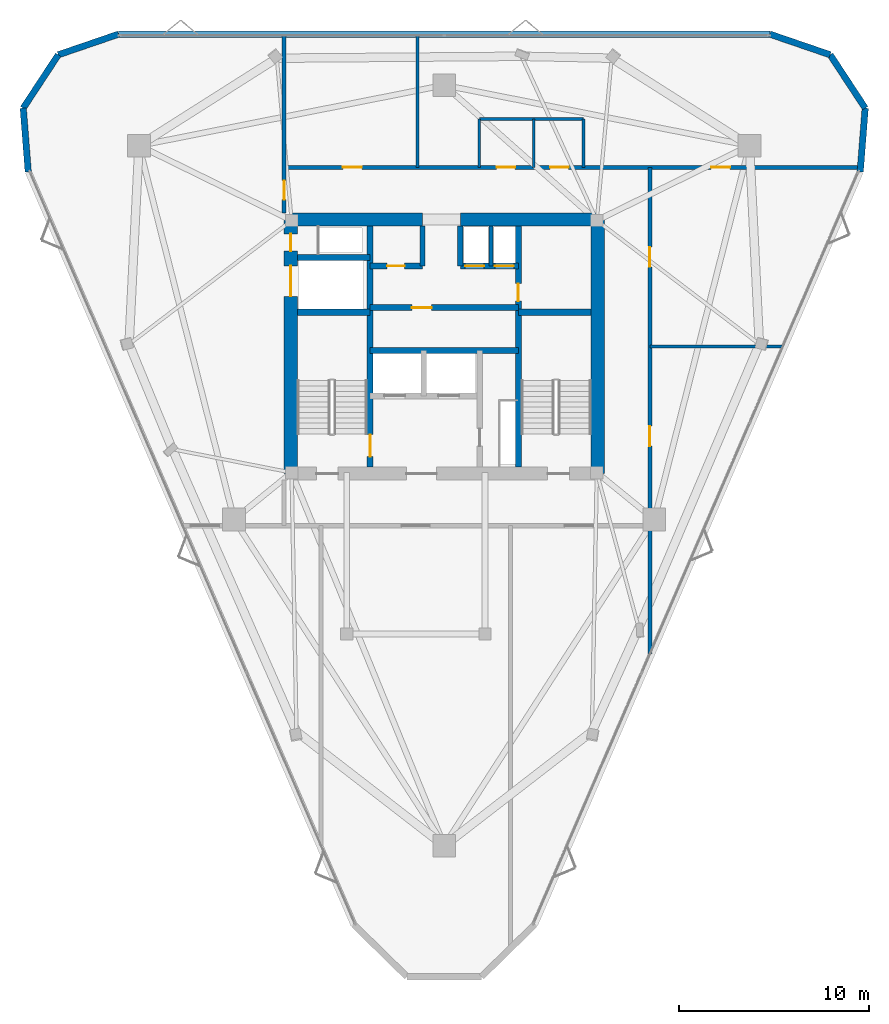
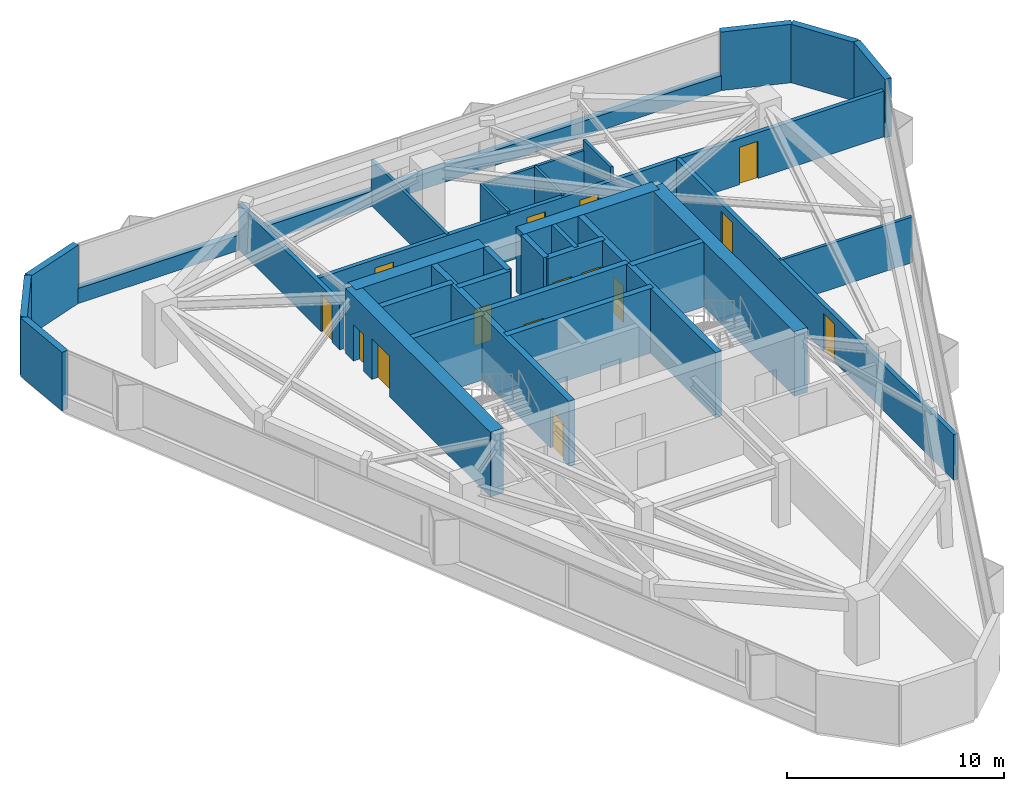
# One storey, part 9 of 11: 32 walls, 15 doors, 15 openings.
"""IFC4 building model written with IfcOpenShell, lengths in metres."""

from ifc_helpers import new_model, si_unit, direction, frame, frame_2d, origin, place, context, subcontext, project, spatial, rectangle, extrude, material, layer, layer_set, type_object, element, fill, save


model = new_model("IFC4")

# Units and contexts
model_context = context("Model", 3, precision=1e-05, world=origin(), true_north=direction((0.0, 1.0)))
body_context = subcontext(model_context, "Body", "Model", "MODEL_VIEW")
ifc_project = project(units=[si_unit("LENGTHUNIT", "METRE"), si_unit("AREAUNIT", "SQUARE_METRE"), si_unit("VOLUMEUNIT", "CUBIC_METRE"), si_unit("PLANEANGLEUNIT", "RADIAN"), si_unit("MASSUNIT", "GRAM", prefix="KILO")], contexts=[model_context])

# Site, building, storey
site_placement = place(None, origin())
site = spatial("IfcSite", under=ifc_project, at=site_placement, CompositionType="ELEMENT")
building_placement = place(site_placement, origin())
building = spatial("IfcBuilding", under=site, at=building_placement, Name="Talyreon Biosciences Tower", CompositionType="ELEMENT")
storey_placement = place(building_placement, frame((0.0, 0.0, 271.75)))
storey = spatial("IfcBuildingStorey", under=building, at=storey_placement, Name="L72", CompositionType="ELEMENT", Elevation=271.75)

# Walls
ifc_material_1 = material(Name="Concrete C50/60", Category="concrete")
ifc_layer_1 = layer(ifc_material_1, 0.219970703125)
ifc_layer_set_1 = layer_set([ifc_layer_1], Name="Concrete C50/60")
wall_type_1 = type_object("IfcWallType", Name="CoreShearWall_220", PredefinedType="SHEAR", material=ifc_layer_set_1)
wall_1_placement = place(storey_placement, frame((68.4599609375, 72.25, 0.0), z_axis=(0.0, 0.0, 1.0), x_axis=(0.0, 1.0, 0.0)))
element("IfcWall", 1, at=wall_1_placement, inside=storey, type_object=wall_type_1, Name="L72 Core Shaft Wall SWPHD", PredefinedType="SHEAR", context=body_context, shape_type="SweptSolid", body=[
    extrude(rectangle(XDim=2.10009765625, YDim=0.219970703125, at=frame_2d((1.050048828125, 0.0))), origin(), (0.0, 0.0, 1.0), 3.64990234375),
])
ifc_layer_2 = layer(ifc_material_1, 0.280029296875)
ifc_layer_set_2 = layer_set([ifc_layer_2], Name="Concrete C50/60")
wall_type_2 = type_object("IfcWallType", Name="CoreShearWall_280", PredefinedType="SHEAR", material=ifc_layer_set_2)
for number, where, z_axis, x_axis, name in (
    (2, (64.85009765625, 72.25, 0.0), (0.0, 0.0, 1.0), (0.0, 1.0, 0.0), "L72 Core Shaft Wall SWTHW"),
    (3, (66.85009765625, 72.25, 0.0), (0.0, 0.0, 1.0), (0.0, 1.0, 0.0), "L72 Core Shaft Wall SWTHE"),
):
    element("IfcWall", number, at=place(storey_placement, frame(where, z_axis=z_axis, x_axis=x_axis)), inside=storey, type_object=wall_type_2, Name=name, PredefinedType="SHEAR", context=body_context, shape_type="SweptSolid", body=[
        extrude(rectangle(XDim=2.10009765625, YDim=0.280029296875, at=frame_2d((1.050048828125, 0.0))), origin(), (0.0, 0.0, 1.0), 3.64990234375),
    ])

# Wall, opening, door
ifc_layer_3 = layer(ifc_material_1, 0.320068359375)
ifc_layer_set_3 = layer_set([ifc_layer_3], Name="Concrete C50/60")
wall_type_3 = type_object("IfcWallType", Name="CoreShearWall_320", PredefinedType="SHEAR", material=ifc_layer_set_3)
wall_2_placement = place(storey_placement, frame((62.090087890625, 61.64990234375, 0.0), z_axis=(0.0, 0.0, 1.0), x_axis=(0.0, 1.0, 0.0)))
wall_2 = element("IfcWall", 4, at=wall_2_placement, inside=storey, type_object=wall_type_3, Name="L72 Core Shaft Wall SW1E", PredefinedType="SHEAR", context=body_context, shape_type="SweptSolid", body=[
    extrude(rectangle(XDim=12.7001953125, YDim=0.320068359375, at=frame_2d((6.35009765625, 0.0))), origin(), (0.0, 0.0, 1.0), 3.64990234375),
])
opening_1_placement = place(wall_2_placement, frame((0.550048828125, 0.0, 0.0)))
opening_1 = element("IfcOpeningElement", 5, at=opening_1_placement, cuts=wall_2, Name="Opening DR-L72-FF-ST1", PredefinedType="OPENING", context=body_context, shape_type="SweptSolid", body=[
    extrude(rectangle(XDim=1.14990234375, YDim=2.14990234375, at=frame_2d((0.574951171875, 1.074951171875))), frame((0.0, 0.169921875, 0.0), z_axis=(0.0, -1.0, 0.0), x_axis=(1.0, 0.0, 0.0)), (0.0, 0.0, 1.0), 0.340087890625),
])
ifc_material_2 = material(Name="Painted steel fire door", Category="steel")
door_type_1 = type_object("IfcDoorType", Name="StairShaftFireDoor_1150x2150", OperationType="NOTDEFINED", PredefinedType="DOOR", material=ifc_material_2)
door_1_placement = place(opening_1_placement, origin())
door_1 = element("IfcDoor", 6, at=door_1_placement, inside=storey, type_object=door_type_1, Name="L72 Core Door DR-L72-FF-ST1", OperationType="SINGLE_SWING_LEFT", OverallHeight=2.14990234375, OverallWidth=1.14990234375, PredefinedType="DOOR", context=body_context, shape_type="SweptSolid", body=[
    extrude(rectangle(XDim=1.14990234375, YDim=2.14990234375, at=frame_2d((0.574951171875, 1.074951171875))), frame((0.0, 0.02490234375, 0.0), z_axis=(0.0, -1.0, 0.0), x_axis=(1.0, 0.0, 0.0)), (0.0, 0.0, 1.0), 0.050048828125),
])
fill(opening_1, door_1)

wall_3_placement = place(storey_placement, frame((69.909912109375, 61.64990234375, 0.0), z_axis=(0.0, 0.0, 1.0), x_axis=(0.0, 1.0, 0.0)))
wall_3 = element("IfcWall", 7, at=wall_3_placement, inside=storey, type_object=wall_type_3, Name="L72 Core Shaft Wall SW2W", PredefinedType="SHEAR", context=body_context, shape_type="SweptSolid", body=[
    extrude(rectangle(XDim=12.7001953125, YDim=0.320068359375, at=frame_2d((6.35009765625, 0.0))), origin(), (0.0, 0.0, 1.0), 3.64990234375),
])
opening_2_placement = place(wall_3_placement, frame((8.75, 0.0, 0.0)))
opening_2 = element("IfcOpeningElement", 8, at=opening_2_placement, cuts=wall_3, Name="Opening DR-L72-CSRV", PredefinedType="OPENING", context=body_context, shape_type="SweptSolid", body=[
    extrude(rectangle(XDim=0.919921875, YDim=2.050048828125, at=frame_2d((0.4599609375, 1.02490234375))), frame((0.0, 0.169921875, 0.0), z_axis=(0.0, -1.0, 0.0), x_axis=(1.0, 0.0, 0.0)), (0.0, 0.0, 1.0), 0.340087890625),
])
ifc_material_3 = material(Name="Painted steel fire-rated riser door", Category="steel")
door_type_2 = type_object("IfcDoorType", Name="RiserPlantAccessDoor_920x2050", OperationType="NOTDEFINED", PredefinedType="DOOR", material=ifc_material_3)
door_2_placement = place(opening_2_placement, origin())
door_2 = element("IfcDoor", 9, at=door_2_placement, inside=storey, type_object=door_type_2, Name="L72 Core Door DR-L72-CSRV", OperationType="SINGLE_SWING_RIGHT", OverallHeight=2.050048828125, OverallWidth=0.919921875, PredefinedType="DOOR", context=body_context, shape_type="SweptSolid", body=[
    extrude(rectangle(XDim=0.919921875, YDim=2.050048828125, at=frame_2d((0.4599609375, 1.02490234375))), frame((0.0, 0.02490234375, 0.0), z_axis=(0.0, -1.0, 0.0), x_axis=(1.0, 0.0, 0.0)), (0.0, 0.0, 1.0), 0.050048828125),
])
fill(opening_2, door_2)

# Walls
for number, where, z_axis, x_axis, name in (
    (10, (58.25, 69.81005859375, 0.0), (0.0, 0.0, 1.0), (1.0, 0.0, 0.0), "L72 Core Shaft Wall SW1N"),
    (11, (69.909912109375, 69.81005859375, 0.0), (0.0, 0.0, 1.0), (1.0, 0.0, 0.0), "L72 Core Shaft Wall SW2N"),
    (12, (58.25, 72.699951171875, 0.0), (0.0, 0.0, 1.0), (1.0, 0.0, 0.0), "L72 Core Shaft Wall SWGLN"),
):
    element("IfcWall", number, at=place(storey_placement, frame(where, z_axis=z_axis, x_axis=x_axis)), inside=storey, type_object=wall_type_3, Name=name, PredefinedType="SHEAR", context=body_context, shape_type="SweptSolid", body=[
        extrude(rectangle(XDim=3.840087890625, YDim=0.320068359375, at=frame_2d((1.919921875, 0.0))), origin(), (0.0, 0.0, 1.0), 3.64990234375),
    ])
wall_4_placement = place(storey_placement, frame((62.090087890625, 67.800048828125, 0.0), z_axis=(0.0, 0.0, 1.0), x_axis=(1.0, 0.0, 0.0)))
element("IfcWall", 13, at=wall_4_placement, inside=storey, type_object=wall_type_3, Name="L72 Core Shaft Wall SWSHM", PredefinedType="SHEAR", context=body_context, shape_type="SweptSolid", body=[
    extrude(rectangle(XDim=7.81982421875, YDim=0.320068359375, at=frame_2d((3.909912109375, 0.0))), origin(), (0.0, 0.0, 1.0), 3.64990234375),
])

# Wall, opening, door
wall_5_placement = place(storey_placement, frame((62.090087890625, 70.050048828125, 0.0), z_axis=(0.0, 0.0, 1.0), x_axis=(1.0, 0.0, 0.0)))
wall_5 = element("IfcWall", 14, at=wall_5_placement, inside=storey, type_object=wall_type_3, Name="L72 Core Shaft Wall SWSPN", PredefinedType="SHEAR", context=body_context, shape_type="SweptSolid", body=[
    extrude(rectangle(XDim=7.81982421875, YDim=0.320068359375, at=frame_2d((3.909912109375, 0.0))), origin(), (0.0, 0.0, 1.0), 3.64990234375),
])
opening_3_placement = place(wall_5_placement, frame((2.199951171875, 0.0, 0.0)))
opening_3 = element("IfcOpeningElement", 15, at=opening_3_placement, cuts=wall_5, Name="Opening DR-L72-PLPMFREE", PredefinedType="OPENING", context=body_context, shape_type="SweptSolid", body=[
    extrude(rectangle(XDim=1.050048828125, YDim=2.14990234375, at=frame_2d((0.52490234375, 1.074951171875))), frame((0.0, 0.169921875, 0.0), z_axis=(0.0, -1.0, 0.0), x_axis=(1.0, 0.0, 0.0)), (0.0, 0.0, 1.0), 0.340087890625),
])
ifc_material_4 = material(Name="Acoustic timber-core laboratory door", Category="wood")
door_type_3 = type_object("IfcDoorType", Name="DryLabSingleDoor_1050x2150", OperationType="NOTDEFINED", PredefinedType="DOOR", material=ifc_material_4)
door_3_placement = place(opening_3_placement, origin())
door_3 = element("IfcDoor", 16, at=door_3_placement, inside=storey, type_object=door_type_3, Name="L72 Core Door DR-L72-PLPMFREE", OperationType="SINGLE_SWING_LEFT", OverallHeight=2.14990234375, OverallWidth=1.050048828125, PredefinedType="DOOR", context=body_context, shape_type="SweptSolid", body=[
    extrude(rectangle(XDim=1.050048828125, YDim=2.14990234375, at=frame_2d((0.52490234375, 1.074951171875))), frame((0.0, 0.02490234375, 0.0), z_axis=(0.0, -1.0, 0.0), x_axis=(1.0, 0.0, 0.0)), (0.0, 0.0, 1.0), 0.050048828125),
])
fill(opening_3, door_3)

wall_6_placement = place(storey_placement, frame((62.090087890625, 72.25, 0.0), z_axis=(0.0, 0.0, 1.0), x_axis=(1.0, 0.0, 0.0)))
wall_6 = element("IfcWall", 17, at=wall_6_placement, inside=storey, type_object=wall_type_3, Name="L72 Core Shaft Wall SWNPW", PredefinedType="SHEAR", context=body_context, shape_type="SweptSolid", body=[
    extrude(rectangle(XDim=2.760009765625, YDim=0.320068359375, at=frame_2d((1.3798828125, 0.0))), origin(), (0.0, 0.0, 1.0), 3.64990234375),
])
opening_4_placement = place(wall_6_placement, frame((0.89990234375, 0.0, 0.0)))
opening_4 = element("IfcOpeningElement", 18, at=opening_4_placement, cuts=wall_6, Name="Opening DR-L72-PM2FREE", PredefinedType="OPENING", context=body_context, shape_type="SweptSolid", body=[
    extrude(rectangle(XDim=0.919921875, YDim=2.050048828125, at=frame_2d((0.4599609375, 1.02490234375))), frame((0.0, 0.169921875, 0.0), z_axis=(0.0, -1.0, 0.0), x_axis=(1.0, 0.0, 0.0)), (0.0, 0.0, 1.0), 0.340087890625),
])
door_4_placement = place(opening_4_placement, origin())
door_4 = element("IfcDoor", 19, at=door_4_placement, inside=storey, type_object=door_type_2, Name="L72 Core Door DR-L72-PM2FREE", OperationType="SINGLE_SWING_RIGHT", OverallHeight=2.050048828125, OverallWidth=0.919921875, PredefinedType="DOOR", context=body_context, shape_type="SweptSolid", body=[
    extrude(rectangle(XDim=0.919921875, YDim=2.050048828125, at=frame_2d((0.4599609375, 1.02490234375))), frame((0.0, 0.02490234375, 0.0), z_axis=(0.0, -1.0, 0.0), x_axis=(1.0, 0.0, 0.0)), (0.0, 0.0, 1.0), 0.050048828125),
])
fill(opening_4, door_4)

# Wall, openings, doors
wall_7_placement = place(storey_placement, frame((66.85009765625, 72.25, 0.0), z_axis=(0.0, 0.0, 1.0), x_axis=(1.0, 0.0, 0.0)))
wall_7 = element("IfcWall", 20, at=wall_7_placement, inside=storey, type_object=wall_type_3, Name="L72 Core Shaft Wall SWNPE", PredefinedType="SHEAR", context=body_context, shape_type="SweptSolid", body=[
    extrude(rectangle(XDim=3.059814453125, YDim=0.320068359375, at=frame_2d((1.52978515625, 0.0))), origin(), (0.0, 0.0, 1.0), 3.64990234375),
])
opening_5_placement = place(wall_7_placement, frame((0.25, 0.0, 0.0)))
opening_5 = element("IfcOpeningElement", 21, at=opening_5_placement, cuts=wall_7, Name="Opening LD-L72-PH1", PredefinedType="OPENING", context=body_context, shape_type="SweptSolid", body=[
    extrude(rectangle(XDim=1.0, YDim=2.199951171875, at=frame_2d((0.5, 1.10009765625))), frame((0.0, 0.169921875, 0.0), z_axis=(0.0, -1.0, 0.0), x_axis=(1.0, 0.0, 0.0)), (0.0, 0.0, 1.0), 0.340087890625),
])
opening_6_placement = place(wall_7_placement, frame((1.820068359375, 0.0, 0.0)))
opening_6 = element("IfcOpeningElement", 22, at=opening_6_placement, cuts=wall_7, Name="Opening LD-L72-PH2", PredefinedType="OPENING", context=body_context, shape_type="SweptSolid", body=[
    extrude(rectangle(XDim=1.0, YDim=2.199951171875, at=frame_2d((0.5, 1.10009765625))), frame((0.0, 0.169921875, 0.0), z_axis=(0.0, -1.0, 0.0), x_axis=(1.0, 0.0, 0.0)), (0.0, 0.0, 1.0), 0.340087890625),
])
ifc_material_5 = material(Name="Brushed stainless-steel lift landing door", Category="steel")
door_type_4 = type_object("IfcDoorType", Name="LiftSlidingLandingDoor_1100x2200", OperationType="SLIDING_TO_LEFT", PredefinedType="DOOR", material=ifc_material_5)
door_5_placement = place(opening_5_placement, origin())
door_5 = element("IfcDoor", 23, at=door_5_placement, inside=storey, type_object=door_type_4, Name="L72 Core Door LD-L72-PH1", OperationType="SLIDING_TO_LEFT", OverallHeight=2.199951171875, OverallWidth=1.0, PredefinedType="DOOR", context=body_context, shape_type="SweptSolid", body=[
    extrude(rectangle(XDim=1.0, YDim=2.199951171875, at=frame_2d((0.5, 1.10009765625))), frame((0.0, 0.02490234375, 0.0), z_axis=(0.0, -1.0, 0.0), x_axis=(1.0, 0.0, 0.0)), (0.0, 0.0, 1.0), 0.050048828125),
])
fill(opening_5, door_5)
door_6_placement = place(opening_6_placement, origin())
door_6 = element("IfcDoor", 24, at=door_6_placement, inside=storey, type_object=door_type_4, Name="L72 Core Door LD-L72-PH2", OperationType="SLIDING_TO_LEFT", OverallHeight=2.199951171875, OverallWidth=1.0, PredefinedType="DOOR", context=body_context, shape_type="SweptSolid", body=[
    extrude(rectangle(XDim=1.0, YDim=2.199951171875, at=frame_2d((0.5, 1.10009765625))), frame((0.0, 0.02490234375, 0.0), z_axis=(0.0, -1.0, 0.0), x_axis=(1.0, 0.0, 0.0)), (0.0, 0.0, 1.0), 0.050048828125),
])
fill(opening_6, door_6)

# Walls
ifc_layer_4 = layer(ifc_material_1, 0.699951171875)
ifc_layer_set_4 = layer_set([ifc_layer_4], Name="Concrete C50/60")
wall_type_4 = type_object("IfcWallType", Name="CoreShearWall_700", PredefinedType="SHEAR", material=ifc_layer_set_4)
wall_8_placement = place(storey_placement, frame((74.10009765625, 61.300048828125, 0.0), z_axis=(0.0, 0.0, 1.0), x_axis=(0.0, 1.0, 0.0)))
element("IfcWall", 25, at=wall_8_placement, inside=storey, type_object=wall_type_4, Name="L72 Core Shear Wall E", PredefinedType="SHEAR", context=body_context, shape_type="SweptSolid", body=[
    extrude(rectangle(XDim=13.39990234375, YDim=0.699951171875, at=frame_2d((6.699951171875, 0.0))), origin(), (0.0, 0.0, 1.0), 3.64990234375),
])
wall_9_placement = place(storey_placement, frame((74.10009765625, 74.699951171875, 0.0), z_axis=(0.0, 0.0, 1.0), x_axis=(-1.0, 0.0, 0.0)))
element("IfcWall", 26, at=wall_9_placement, inside=storey, type_object=wall_type_4, Name="L72 Core Shear Wall NE", PredefinedType="SHEAR", context=body_context, shape_type="SweptSolid", body=[
    extrude(rectangle(XDim=7.25, YDim=0.699951171875, at=frame_2d((3.625, 0.0))), origin(), (0.0, 0.0, 1.0), 3.64990234375),
])
wall_10_placement = place(storey_placement, frame((64.85009765625, 74.699951171875, 0.0), z_axis=(0.0, 0.0, 1.0), x_axis=(-1.0, 0.0, 0.0)))
element("IfcWall", 27, at=wall_10_placement, inside=storey, type_object=wall_type_4, Name="L72 Core Shear Wall NW", PredefinedType="SHEAR", context=body_context, shape_type="SweptSolid", body=[
    extrude(rectangle(XDim=6.9501953125, YDim=0.699951171875, at=frame_2d((3.47509765625, 0.0))), origin(), (0.0, 0.0, 1.0), 3.64990234375),
])

# Wall, openings, doors
wall_11_placement = place(storey_placement, frame((57.89990234375, 74.699951171875, 0.0), z_axis=(0.0, 0.0, 1.0), x_axis=(0.0, -1.0, 0.0)))
wall_11 = element("IfcWall", 28, at=wall_11_placement, inside=storey, type_object=wall_type_4, Name="L72 Core Shear Wall W", PredefinedType="SHEAR", context=body_context, shape_type="SweptSolid", body=[
    extrude(rectangle(XDim=13.39990234375, YDim=0.699951171875, at=frame_2d((6.699951171875, 0.0))), origin(), (0.0, 0.0, 1.0), 3.64990234375),
])
opening_7_placement = place(wall_11_placement, frame((0.75, 0.0, 0.0)))
opening_7 = element("IfcOpeningElement", 29, at=opening_7_placement, cuts=wall_11, Name="Opening DR-L72-RSW", PredefinedType="OPENING", context=body_context, shape_type="SweptSolid", body=[
    extrude(rectangle(XDim=0.919921875, YDim=2.050048828125, at=frame_2d((0.4599609375, 1.02490234375))), frame((0.0, 0.35986328125, 0.0), z_axis=(0.0, -1.0, 0.0), x_axis=(1.0, 0.0, 0.0)), (0.0, 0.0, 1.0), 0.719970703125),
])
opening_8_placement = place(wall_11_placement, frame((2.449951171875, 0.0, 0.0)))
opening_8 = element("IfcOpeningElement", 30, at=opening_8_placement, cuts=wall_11, Name="Opening LD-L72-GL1", PredefinedType="OPENING", context=body_context, shape_type="SweptSolid", body=[
    extrude(rectangle(XDim=1.60009765625, YDim=2.300048828125, at=frame_2d((0.800048828125, 1.14990234375))), frame((0.0, 0.35986328125, 0.0), z_axis=(0.0, -1.0, 0.0), x_axis=(1.0, 0.0, 0.0)), (0.0, 0.0, 1.0), 0.719970703125),
])
ifc_material_6 = material(Name="Heavy-duty stainless-steel goods lift door", Category="steel")
door_type_5 = type_object("IfcDoorType", Name="GoodsLiftSlidingDoor_1600x2300", OperationType="DOUBLE_DOOR_SLIDING", PredefinedType="DOOR", material=ifc_material_6)
door_7_placement = place(opening_8_placement, origin())
door_7 = element("IfcDoor", 31, at=door_7_placement, inside=storey, type_object=door_type_5, Name="L72 Core Door LD-L72-GL1", OperationType="DOUBLE_DOOR_SLIDING", OverallHeight=2.300048828125, OverallWidth=1.60009765625, PredefinedType="DOOR", context=body_context, shape_type="SweptSolid", body=[
    extrude(rectangle(XDim=1.60009765625, YDim=2.300048828125, at=frame_2d((0.800048828125, 1.14990234375))), frame((0.0, 0.02490234375, 0.0), z_axis=(0.0, -1.0, 0.0), x_axis=(1.0, 0.0, 0.0)), (0.0, 0.0, 1.0), 0.050048828125),
])
fill(opening_8, door_7)
door_8_placement = place(opening_7_placement, origin())
door_8 = element("IfcDoor", 32, at=door_8_placement, inside=storey, type_object=door_type_2, Name="L72 Core Door DR-L72-RSW", OperationType="SINGLE_SWING_LEFT", OverallHeight=2.050048828125, OverallWidth=0.919921875, PredefinedType="DOOR", context=body_context, shape_type="SweptSolid", body=[
    extrude(rectangle(XDim=0.919921875, YDim=2.050048828125, at=frame_2d((0.4599609375, 1.02490234375))), frame((0.0, 0.02490234375, 0.0), z_axis=(0.0, -1.0, 0.0), x_axis=(1.0, 0.0, 0.0)), (0.0, 0.0, 1.0), 0.050048828125),
])
fill(opening_7, door_8)

ifc_material_7 = material(Name="Gypsum fireboard acoustic stud", Category="gypsum")
ifc_layer_5 = layer(ifc_material_7, 0.219970703125)
ifc_layer_set_5 = layer_set([ifc_layer_5], Name="Gypsum fireboard acoustic stud")
wall_type_5 = type_object("IfcWallType", Name="CorridorRatedPartition_220", PredefinedType="PARTITIONING", material=ifc_layer_set_5)
wall_12_placement = place(storey_placement, frame((57.550048828125, 77.449951171875, 0.0), z_axis=(0.0, 0.0, 1.0), x_axis=(1.0, 0.0, 0.0)))
wall_12 = element("IfcWall", 33, at=wall_12_placement, inside=storey, type_object=wall_type_5, Name="L72 Interior Wall IW-L72-COR-N", PredefinedType="PARTITIONING", context=body_context, shape_type="SweptSolid", body=[
    extrude(rectangle(XDim=30.328857421875, YDim=0.219970703125, at=frame_2d((15.16455078125, 0.0))), origin(), (0.0, 0.0, 1.0), 2.580078125),
])
opening_9_placement = place(wall_12_placement, frame((11.2099609375, 0.0, 0.0)))
opening_9 = element("IfcOpeningElement", 34, at=opening_9_placement, cuts=wall_12, Name="Opening DR-L72-WC", PredefinedType="OPENING", context=body_context, shape_type="SweptSolid", body=[
    extrude(rectangle(XDim=0.97998046875, YDim=2.10009765625, at=frame_2d((0.489990234375, 1.050048828125))), frame((0.0, 0.119873046875, 0.0), z_axis=(0.0, -1.0, 0.0), x_axis=(1.0, 0.0, 0.0)), (0.0, 0.0, 1.0), 0.239990234375),
])
opening_10_placement = place(wall_12_placement, frame((14.034912109375, 0.0, 0.0)))
opening_10 = element("IfcOpeningElement", 35, at=opening_10_placement, cuts=wall_12, Name="Opening DR-L72-AWC", PredefinedType="OPENING", context=body_context, shape_type="SweptSolid", body=[
    extrude(rectangle(XDim=0.97998046875, YDim=2.10009765625, at=frame_2d((0.489990234375, 1.050048828125))), frame((0.0, 0.119873046875, 0.0), z_axis=(0.0, -1.0, 0.0), x_axis=(1.0, 0.0, 0.0)), (0.0, 0.0, 1.0), 0.239990234375),
])
opening_11_placement = place(wall_12_placement, frame((3.10009765625, 0.0, 0.0)))
opening_11 = element("IfcOpeningElement", 36, at=opening_11_placement, cuts=wall_12, Name="Opening DR-L72-N1A", PredefinedType="OPENING", context=body_context, shape_type="SweptSolid", body=[
    extrude(rectangle(XDim=1.0, YDim=2.10009765625, at=frame_2d((0.5, 1.050048828125))), frame((0.0, 0.119873046875, 0.0), z_axis=(0.0, -1.0, 0.0), x_axis=(1.0, 0.0, 0.0)), (0.0, 0.0, 1.0), 0.239990234375),
])
opening_12_placement = place(wall_12_placement, frame((22.529052734375, 0.0, 0.0)))
opening_12 = element("IfcOpeningElement", 37, at=opening_12_placement, cuts=wall_12, Name="Opening DR-L72-N2A", PredefinedType="OPENING", context=body_context, shape_type="SweptSolid", body=[
    extrude(rectangle(XDim=1.0, YDim=2.10009765625, at=frame_2d((0.5, 1.050048828125))), frame((0.0, 0.119873046875, 0.0), z_axis=(0.0, -1.0, 0.0), x_axis=(1.0, 0.0, 0.0)), (0.0, 0.0, 1.0), 0.239990234375),
])
ifc_material_8 = material(Name="Laminate moisture-resistant door", Category="wood")
door_type_6 = type_object("IfcDoorType", Name="AccessibleToiletDoor_980x2100", OperationType="NOTDEFINED", PredefinedType="DOOR", material=ifc_material_8)
door_9_placement = place(opening_9_placement, origin())
door_9 = element("IfcDoor", 38, at=door_9_placement, inside=storey, type_object=door_type_6, Name="L72 Interior Door DR-L72-WC", OperationType="SINGLE_SWING_RIGHT", OverallHeight=2.10009765625, OverallWidth=0.97998046875, PredefinedType="DOOR", context=body_context, shape_type="SweptSolid", body=[
    extrude(rectangle(XDim=0.97998046875, YDim=2.10009765625, at=frame_2d((0.489990234375, 1.050048828125))), frame((0.0, 0.02490234375, 0.0), z_axis=(0.0, -1.0, 0.0), x_axis=(1.0, 0.0, 0.0)), (0.0, 0.0, 1.0), 0.050048828125),
])
fill(opening_9, door_9)
door_10_placement = place(opening_10_placement, origin())
door_10 = element("IfcDoor", 39, at=door_10_placement, inside=storey, type_object=door_type_6, Name="L72 Interior Door DR-L72-AWC", OperationType="SINGLE_SWING_RIGHT", OverallHeight=2.10009765625, OverallWidth=0.97998046875, PredefinedType="DOOR", context=body_context, shape_type="SweptSolid", body=[
    extrude(rectangle(XDim=0.97998046875, YDim=2.10009765625, at=frame_2d((0.489990234375, 1.050048828125))), frame((0.0, 0.02490234375, 0.0), z_axis=(0.0, -1.0, 0.0), x_axis=(1.0, 0.0, 0.0)), (0.0, 0.0, 1.0), 0.050048828125),
])
fill(opening_10, door_10)
ifc_material_9 = material(Name="Acoustic oak veneer office door", Category="wood")
door_type_7 = type_object("IfcDoorType", Name="WriteupOfficeDoor_1000x2100", OperationType="NOTDEFINED", PredefinedType="DOOR", material=ifc_material_9)
door_11_placement = place(opening_11_placement, origin())
door_11 = element("IfcDoor", 40, at=door_11_placement, inside=storey, type_object=door_type_7, Name="L72 Interior Door DR-L72-N1A", OperationType="SINGLE_SWING_RIGHT", OverallHeight=2.10009765625, OverallWidth=1.0, PredefinedType="DOOR", context=body_context, shape_type="SweptSolid", body=[
    extrude(rectangle(XDim=1.0, YDim=2.10009765625, at=frame_2d((0.5, 1.050048828125))), frame((0.0, 0.02490234375, 0.0), z_axis=(0.0, -1.0, 0.0), x_axis=(1.0, 0.0, 0.0)), (0.0, 0.0, 1.0), 0.050048828125),
])
fill(opening_11, door_11)
door_12_placement = place(opening_12_placement, origin())
door_12 = element("IfcDoor", 41, at=door_12_placement, inside=storey, type_object=door_type_7, Name="L72 Interior Door DR-L72-N2A", OperationType="SINGLE_SWING_RIGHT", OverallHeight=2.10009765625, OverallWidth=1.0, PredefinedType="DOOR", context=body_context, shape_type="SweptSolid", body=[
    extrude(rectangle(XDim=1.0, YDim=2.10009765625, at=frame_2d((0.5, 1.050048828125))), frame((0.0, 0.02490234375, 0.0), z_axis=(0.0, -1.0, 0.0), x_axis=(1.0, 0.0, 0.0)), (0.0, 0.0, 1.0), 0.050048828125),
])
fill(opening_12, door_12)

# Wall, opening, door
wall_13_placement = place(storey_placement, frame((57.550048828125, 75.050048828125, 0.0), z_axis=(0.0, 0.0, 1.0), x_axis=(0.0, 1.0, 0.0)))
wall_13 = element("IfcWall", 42, at=wall_13_placement, inside=storey, type_object=wall_type_5, Name="L72 Interior Wall IW-L72-WCAP-N", PredefinedType="PARTITIONING", context=body_context, shape_type="SweptSolid", body=[
    extrude(rectangle(XDim=9.34912109375, YDim=0.219970703125, at=frame_2d((4.674560546875, 0.0))), origin(), (0.0, 0.0, 1.0), 2.580078125),
])
opening_13_placement = place(wall_13_placement, frame((0.699951171875, 0.0, 0.0)))
opening_13 = element("IfcOpeningElement", 43, at=opening_13_placement, cuts=wall_13, Name="Opening DR-L72-W1A", PredefinedType="OPENING", context=body_context, shape_type="SweptSolid", body=[
    extrude(rectangle(XDim=1.0, YDim=2.10009765625, at=frame_2d((0.5, 1.050048828125))), frame((0.0, 0.119873046875, 0.0), z_axis=(0.0, -1.0, 0.0), x_axis=(1.0, 0.0, 0.0)), (0.0, 0.0, 1.0), 0.239990234375),
])
door_13_placement = place(opening_13_placement, origin())
door_13 = element("IfcDoor", 44, at=door_13_placement, inside=storey, type_object=door_type_7, Name="L72 Interior Door DR-L72-W1A", OperationType="SINGLE_SWING_RIGHT", OverallHeight=2.10009765625, OverallWidth=1.0, PredefinedType="DOOR", context=body_context, shape_type="SweptSolid", body=[
    extrude(rectangle(XDim=1.0, YDim=2.10009765625, at=frame_2d((0.5, 1.050048828125))), frame((0.0, 0.02490234375, 0.0), z_axis=(0.0, -1.0, 0.0), x_axis=(1.0, 0.0, 0.0)), (0.0, 0.0, 1.0), 0.050048828125),
])
fill(opening_13, door_13)

# Wall, openings, doors
wall_14_placement = place(storey_placement, frame((76.85009765625, 51.773193359375, 0.0), z_axis=(0.0, 0.0, 1.0), x_axis=(0.0, 1.0, 0.0)))
wall_14 = element("IfcWall", 45, at=wall_14_placement, inside=storey, type_object=wall_type_5, Name="L72 Interior Wall IW-L72-COR-E", PredefinedType="PARTITIONING", context=body_context, shape_type="SweptSolid", body=[
    extrude(rectangle(XDim=25.6767578125, YDim=0.219970703125, at=frame_2d((12.83837890625, 0.0))), origin(), (0.0, 0.0, 1.0), 2.580078125),
])
opening_14_placement = place(wall_14_placement, frame((10.97705078125, 0.0, 0.0)))
opening_14 = element("IfcOpeningElement", 46, at=opening_14_placement, cuts=wall_14, Name="Opening DR-L72-E1A", PredefinedType="OPENING", context=body_context, shape_type="SweptSolid", body=[
    extrude(rectangle(XDim=1.050048828125, YDim=2.14990234375, at=frame_2d((0.52490234375, 1.074951171875))), frame((0.0, 0.119873046875, 0.0), z_axis=(0.0, -1.0, 0.0), x_axis=(1.0, 0.0, 0.0)), (0.0, 0.0, 1.0), 0.239990234375),
])
opening_15_placement = place(wall_14_placement, frame((20.427001953125, 0.0, 0.0)))
opening_15 = element("IfcOpeningElement", 47, at=opening_15_placement, cuts=wall_14, Name="Opening DR-L72-E2A", PredefinedType="OPENING", context=body_context, shape_type="SweptSolid", body=[
    extrude(rectangle(XDim=1.050048828125, YDim=2.14990234375, at=frame_2d((0.52490234375, 1.074951171875))), frame((0.0, 0.119873046875, 0.0), z_axis=(0.0, -1.0, 0.0), x_axis=(1.0, 0.0, 0.0)), (0.0, 0.0, 1.0), 0.239990234375),
])
door_14_placement = place(opening_14_placement, origin())
door_14 = element("IfcDoor", 48, at=door_14_placement, inside=storey, type_object=door_type_3, Name="L72 Interior Door DR-L72-E1A", OperationType="SINGLE_SWING_RIGHT", OverallHeight=2.14990234375, OverallWidth=1.050048828125, PredefinedType="DOOR", context=body_context, shape_type="SweptSolid", body=[
    extrude(rectangle(XDim=1.050048828125, YDim=2.14990234375, at=frame_2d((0.52490234375, 1.074951171875))), frame((0.0, 0.02490234375, 0.0), z_axis=(0.0, -1.0, 0.0), x_axis=(1.0, 0.0, 0.0)), (0.0, 0.0, 1.0), 0.050048828125),
])
fill(opening_14, door_14)
door_15_placement = place(opening_15_placement, origin())
door_15 = element("IfcDoor", 49, at=door_15_placement, inside=storey, type_object=door_type_3, Name="L72 Interior Door DR-L72-E2A", OperationType="SINGLE_SWING_RIGHT", OverallHeight=2.14990234375, OverallWidth=1.050048828125, PredefinedType="DOOR", context=body_context, shape_type="SweptSolid", body=[
    extrude(rectangle(XDim=1.050048828125, YDim=2.14990234375, at=frame_2d((0.52490234375, 1.074951171875))), frame((0.0, 0.02490234375, 0.0), z_axis=(0.0, -1.0, 0.0), x_axis=(1.0, 0.0, 0.0)), (0.0, 0.0, 1.0), 0.050048828125),
])
fill(opening_15, door_15)

# Walls
ifc_material_10 = material(Name="Gypsum acoustic stud partition", Category="gypsum")
ifc_layer_6 = layer(ifc_material_10, 0.159912109375)
ifc_layer_set_6 = layer_set([ifc_layer_6], Name="Gypsum acoustic stud partition")
wall_type_6 = type_object("IfcWallType", Name="LabSeparationPartition_160", PredefinedType="PARTITIONING", material=ifc_layer_set_6)
wall_15_placement = place(storey_placement, frame((64.60009765625, 77.449951171875, 0.0), z_axis=(0.0, 0.0, 1.0), x_axis=(0.0, 1.0, 0.0)))
element("IfcWall", 50, at=wall_15_placement, inside=storey, type_object=wall_type_6, Name="L72 Interior Wall IW-L72-NDIV1", PredefinedType="PARTITIONING", context=body_context, shape_type="SweptSolid", body=[
    extrude(rectangle(XDim=6.94921875, YDim=0.159912109375, at=frame_2d((3.474609375, 0.0))), origin(), (0.0, 0.0, 1.0), 2.580078125),
])
wall_16_placement = place(storey_placement, frame((76.85009765625, 68.0, 0.0), z_axis=(0.0, 0.0, 1.0), x_axis=(1.0, 0.0, 0.0)))
element("IfcWall", 51, at=wall_16_placement, inside=storey, type_object=wall_type_6, Name="L72 Interior Wall IW-L72-EDIV1", PredefinedType="PARTITIONING", context=body_context, shape_type="SweptSolid", body=[
    extrude(rectangle(XDim=7.016357421875, YDim=0.159912109375, at=frame_2d((3.50830078125, 0.0))), origin(), (0.0, 0.0, 1.0), 2.580078125),
])
ifc_material_11 = material(Name="Precast concrete C45/55", Category="concrete")
ifc_layer_7 = layer(ifc_material_11, 0.340087890625)
ifc_layer_set_7 = layer_set([ifc_layer_7], Name="Precast concrete C45/55")
wall_type_7 = type_object("IfcWallType", Name="PrecastConcreteSpandrelWall_340", PredefinedType="STANDARD", material=ifc_layer_set_7)
wall_17_placement = place(storey_placement, frame((44.053955078125, 77.22021484375, 0.0), z_axis=(0.0, 0.0, 1.0), x_axis=(-0.078203957381, 0.996937380706, 0.0)))
element("IfcWall", 52, at=wall_17_placement, inside=storey, type_object=wall_type_7, Name="L72 Rounded-Corner Concrete Pier 01", PredefinedType="STANDARD", context=body_context, shape_type="SweptSolid", body=[
    extrude(rectangle(XDim=3.368408203125, YDim=0.340087890625, at=frame_2d((1.68408203125, 0.0))), origin(), (0.0, 0.0, 1.0), 3.300048828125),
])
wall_18_placement = place(storey_placement, frame((43.79052734375, 80.578369140625, 0.0), z_axis=(0.0, 0.0, 1.0), x_axis=(0.549134495039, 0.835733992582, 0.0)))
element("IfcWall", 53, at=wall_18_placement, inside=storey, type_object=wall_type_7, Name="L72 Rounded-Corner Concrete Pier 02", PredefinedType="STANDARD", context=body_context, shape_type="SweptSolid", body=[
    extrude(rectangle(XDim=3.3681640625, YDim=0.340087890625, at=frame_2d((1.68408203125, 0.0))), origin(), (0.0, 0.0, 1.0), 3.300048828125),
])
wall_19_placement = place(storey_placement, frame((45.64013671875, 83.393310546875, 0.0), z_axis=(0.0, 0.0, 1.0), x_axis=(0.946108474855, 0.323849893944, 0.0)))
element("IfcWall", 54, at=wall_19_placement, inside=storey, type_object=wall_type_7, Name="L72 Rounded-Corner Concrete Pier 03", PredefinedType="STANDARD", context=body_context, shape_type="SweptSolid", body=[
    extrude(rectangle(XDim=3.368408203125, YDim=0.340087890625, at=frame_2d((1.68408203125, 0.0))), origin(), (0.0, 0.0, 1.0), 3.300048828125),
])
wall_20_placement = place(storey_placement, frame((48.826904296875, 84.484130859375, 0.0), z_axis=(0.0, 0.0, 1.0), x_axis=(1.0, 0.0, 0.0)))
element("IfcWall", 55, at=wall_20_placement, inside=storey, type_object=wall_type_7, Name="L72 Expressed Concrete Sill Wall 04", PredefinedType="STANDARD", context=body_context, shape_type="SweptSolid", body=[
    extrude(rectangle(XDim=34.34619140625, YDim=0.340087890625, at=frame_2d((17.173095703125, 0.0))), origin(), (0.0, 0.0, 1.0), 0.85009765625),
])
wall_21_placement = place(storey_placement, frame((83.173095703125, 84.484130859375, 0.0), z_axis=(0.0, 0.0, 1.0), x_axis=(0.946108474855, -0.323849893944, 0.0)))
element("IfcWall", 56, at=wall_21_placement, inside=storey, type_object=wall_type_7, Name="L72 Rounded-Corner Concrete Pier 05", PredefinedType="STANDARD", context=body_context, shape_type="SweptSolid", body=[
    extrude(rectangle(XDim=3.368408203125, YDim=0.340087890625, at=frame_2d((1.68408203125, 0.0))), origin(), (0.0, 0.0, 1.0), 3.300048828125),
])
wall_22_placement = place(storey_placement, frame((86.35986328125, 83.393310546875, 0.0), z_axis=(0.0, 0.0, 1.0), x_axis=(0.549134495039, -0.835733992582, 0.0)))
element("IfcWall", 57, at=wall_22_placement, inside=storey, type_object=wall_type_7, Name="L72 Rounded-Corner Concrete Pier 06", PredefinedType="STANDARD", context=body_context, shape_type="SweptSolid", body=[
    extrude(rectangle(XDim=3.3681640625, YDim=0.340087890625, at=frame_2d((1.68408203125, 0.0))), origin(), (0.0, 0.0, 1.0), 3.300048828125),
])
wall_23_placement = place(storey_placement, frame((88.20947265625, 80.578369140625, 0.0), z_axis=(0.0, 0.0, 1.0), x_axis=(-0.078203957381, -0.996937380706, 0.0)))
element("IfcWall", 58, at=wall_23_placement, inside=storey, type_object=wall_type_7, Name="L72 Rounded-Corner Concrete Pier 07", PredefinedType="STANDARD", context=body_context, shape_type="SweptSolid", body=[
    extrude(rectangle(XDim=3.368408203125, YDim=0.340087890625, at=frame_2d((1.68408203125, 0.0))), origin(), (0.0, 0.0, 1.0), 3.300048828125),
])
ifc_material_12 = material(Name="Moisture-resistant cement-board stud", Category="gypsum")
ifc_layer_8 = layer(ifc_material_12, 0.14501953125)
ifc_layer_set_8 = layer_set([ifc_layer_8], Name="Moisture-resistant cement-board stud")
wall_type_8 = type_object("IfcWallType", Name="WetRoomPartition_145", PredefinedType="PARTITIONING", material=ifc_layer_set_8)
for number, where, z_axis, x_axis, name in (
    (59, (67.85009765625, 77.449951171875, 0.0), (0.0, 0.0, 1.0), (0.0, 1.0, 0.0), "L72 Interior Wall IW-L72-WCL"),
    (60, (70.72509765625, 77.449951171875, 0.0), (0.0, 0.0, 1.0), (0.0, 1.0, 0.0), "L72 Interior Wall IW-L72-WCM"),
):
    element("IfcWall", number, at=place(storey_placement, frame(where, z_axis=z_axis, x_axis=x_axis)), inside=storey, type_object=wall_type_8, Name=name, PredefinedType="PARTITIONING", context=body_context, shape_type="SweptSolid", body=[
        extrude(rectangle(XDim=2.550048828125, YDim=0.14501953125, at=frame_2d((1.27490234375, 0.0))), origin(), (0.0, 0.0, 1.0), 2.72998046875),
    ])
wall_24_placement = place(storey_placement, frame((73.35009765625, 77.449951171875, 0.0), z_axis=(0.0, 0.0, 1.0), x_axis=(0.0, 1.0, 0.0)))
element("IfcWall", 61, at=wall_24_placement, inside=storey, type_object=wall_type_8, Name="L72 Interior Wall IW-L72-WCR", PredefinedType="PARTITIONING", context=body_context, shape_type="SweptSolid", body=[
    extrude(rectangle(XDim=2.550048828125, YDim=0.14501953125, at=frame_2d((1.27490234375, 0.0))), origin(), (0.0, 0.0, 1.0), 3.300048828125),
])
wall_25_placement = place(storey_placement, frame((67.85009765625, 80.0, 0.0), z_axis=(0.0, 0.0, 1.0), x_axis=(1.0, 0.0, 0.0)))
element("IfcWall", 62, at=wall_25_placement, inside=storey, type_object=wall_type_8, Name="L72 Interior Wall IW-L72-WCT", PredefinedType="PARTITIONING", context=body_context, shape_type="SweptSolid", body=[
    extrude(rectangle(XDim=5.5, YDim=0.14501953125, at=frame_2d((2.75, 0.0))), origin(), (0.0, 0.0, 1.0), 2.72998046875),
])

save(model, "model.ifc")
